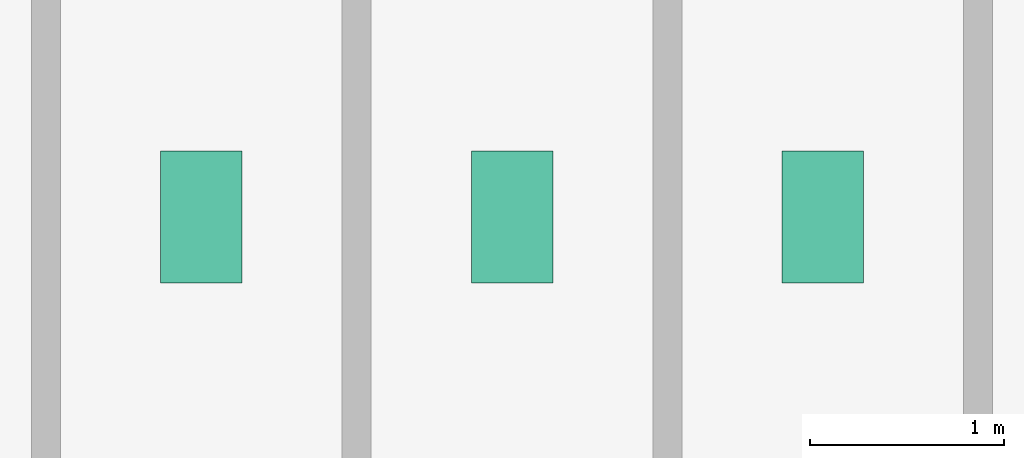
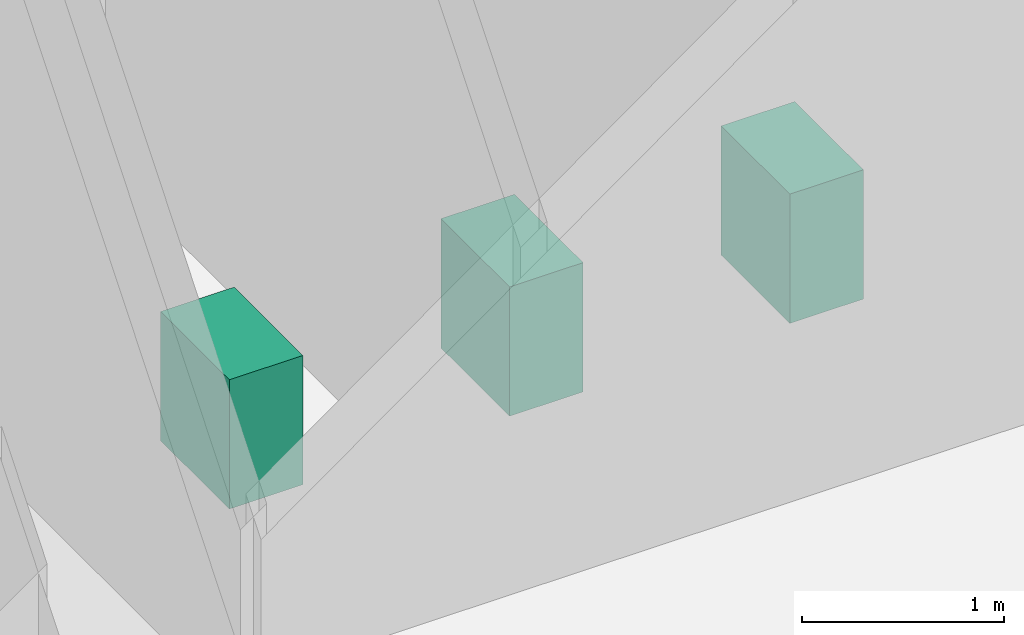
# One storey, part 26 of 26: 3 sanitary terminals.
"""IFC4 building model written with IfcOpenShell, lengths in metres."""

from ifc_helpers import new_model, si_unit, derived_unit, direction, frame, origin, origin_2d, place, context, subcontext, project, spatial, rectangle, extrude, source, transform, mapped, material, type_object, element, save


model = new_model("IFC4")

# Units and contexts
model_context = context("Model", 3, precision=1e-05, world=origin(), true_north=direction((0.0, 1.0)))
body_context = subcontext(model_context, "Body", "Model", "MODEL_VIEW")
ifc_project = project(units=[si_unit("LENGTHUNIT", "METRE"), si_unit("AREAUNIT", "SQUARE_METRE"), si_unit("VOLUMEUNIT", "CUBIC_METRE"), si_unit("PLANEANGLEUNIT", "RADIAN"), si_unit("MASSUNIT", "GRAM", prefix="KILO"), derived_unit("THERMALTRANSMITTANCEUNIT", [(si_unit("POWERUNIT", "WATT"), 1), (si_unit("LENGTHUNIT", "METRE"), -2), (si_unit("THERMODYNAMICTEMPERATUREUNIT", "KELVIN"), -1)])], contexts=[model_context])

# Site, building, storey
site_placement = place(None, origin())
site = spatial("IfcSite", under=ifc_project, at=site_placement, CompositionType="ELEMENT")
building_placement = place(site_placement, origin())
building = spatial("IfcBuilding", under=site, at=building_placement, Name="Skarnbrae Concourse Arena and Tower", CompositionType="ELEMENT")
storey_placement = place(building_placement, frame((0.0, 0.0, 121.5)))
storey = spatial("IfcBuildingStorey", under=building, at=storey_placement, Name="L30", CompositionType="ELEMENT", Elevation=121.5)

# Sanitary terminals
ifc_material = material(Name="Vitreous china sanitaryware", Category="other")
sanitary_terminal_type = type_object("IfcSanitaryTerminalType", Name="SAN-WC-VITREOUS", PredefinedType="TOILETPAN", material=ifc_material)
shared_shape = source(origin(), body_context, "Body", "SweptSolid", [
    extrude(rectangle(XDim=0.419921875, YDim=0.679931640625, at=origin_2d()), origin(), (0.0, 0.0, 1.0), 0.780029296875),
])
for number, where, z_axis, x_axis, name in (
    (1, (35.0, 11.39990234375, 0.0), (0.0, 0.0, 1.0), (1.0, 0.0, 0.0), "L30 Washroom WC fixture 1"),
    (2, (36.60009765625, 11.39990234375, 0.0), (0.0, 0.0, 1.0), (1.0, 0.0, 0.0), "L30 Washroom WC fixture 2"),
    (3, (38.199951171875, 11.39990234375, 0.0), (0.0, 0.0, 1.0), (1.0, 0.0, 0.0), "L30 Washroom WC fixture 3"),
):
    element("IfcSanitaryTerminal", number, at=place(storey_placement, frame(where, z_axis=z_axis, x_axis=x_axis)), inside=storey, type_object=sanitary_terminal_type, Name=name, PredefinedType="TOILETPAN", context=body_context, shape_type="MappedRepresentation", body=[
        mapped(shared_shape, transform((0.0, 0.0, 0.0))),
    ])

save(model, "model.ifc")
